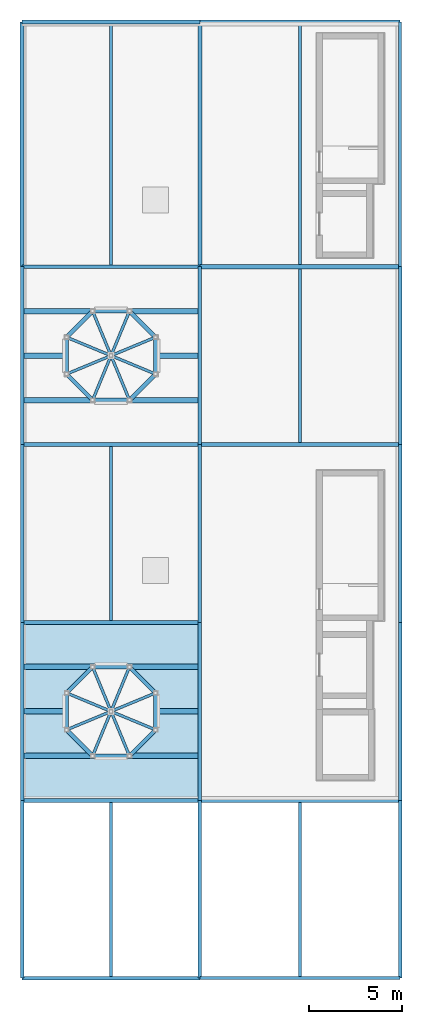
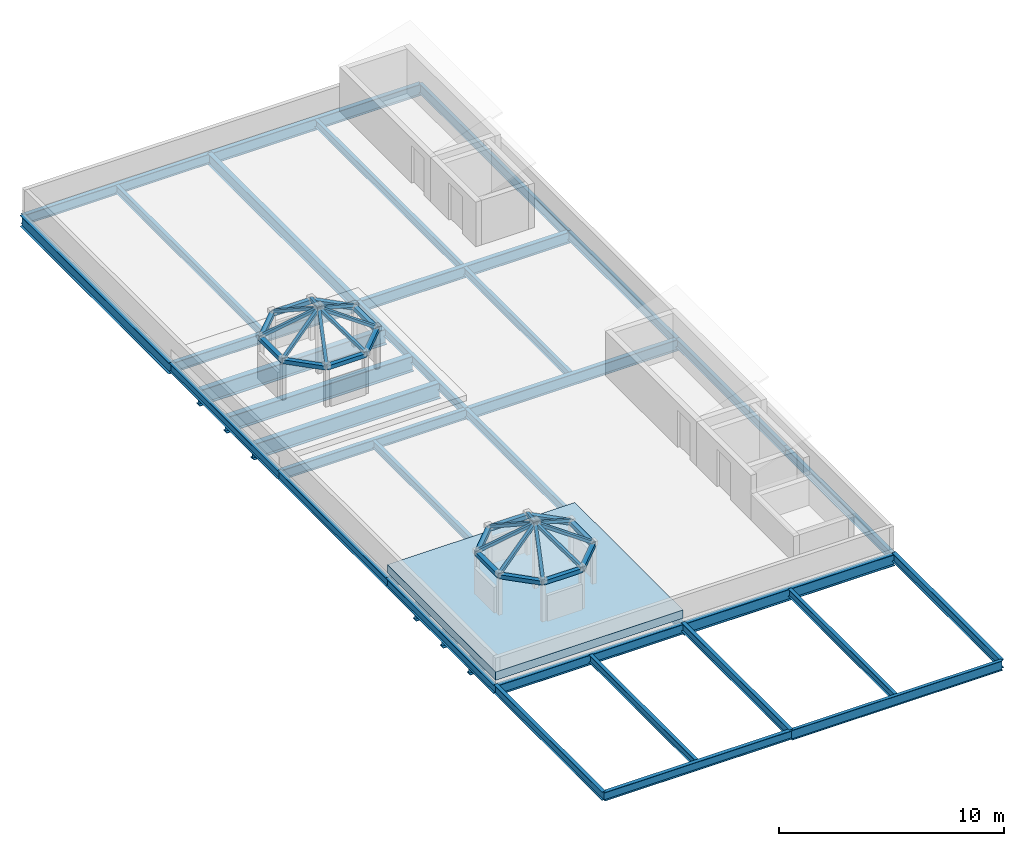
# One storey, part 2 of 5: 54 beams, 16 members, 1 slab.
"""IFC4 building model written with IfcOpenShell, lengths in metres."""

from ifc_helpers import new_model, si_unit, direction, frame, origin, origin_2d, place, context, subcontext, project, spatial, polyline, hollow_rectangle, i_section, outline, extrude, material, layer, layer_set, material_profile, profile_set, type_object, element, save


model = new_model("IFC4")

# Units and contexts
model_context = context("Model", 3, precision=1e-05, world=origin(), true_north=direction((0.0, 1.0)))
body_context = subcontext(model_context, "Body", "Model", "MODEL_VIEW")
ifc_project = project(units=[si_unit("LENGTHUNIT", "METRE"), si_unit("AREAUNIT", "SQUARE_METRE"), si_unit("VOLUMEUNIT", "CUBIC_METRE"), si_unit("PLANEANGLEUNIT", "RADIAN"), si_unit("MASSUNIT", "GRAM", prefix="KILO")], contexts=[model_context])

# Site, building, storey
site_placement = place(None, origin())
site = spatial("IfcSite", under=ifc_project, at=site_placement, CompositionType="ELEMENT")
building_placement = place(site_placement, origin())
building = spatial("IfcBuilding", under=site, at=building_placement, Name="Almandine Court Research Institute", CompositionType="ELEMENT")
storey_placement = place(building_placement, frame((0.0, 0.0, 46.199951171875)))
storey = spatial("IfcBuildingStorey", under=building, at=storey_placement, Name="RF", CompositionType="ELEMENT", Elevation=46.199951171875)

# Beams
ifc_material_1 = material(Name="Steel ASTM A992 Grade 50", Category="steel")
ifc_material_profile_1 = material_profile(ifc_material_1, i_section(OverallWidth=0.18994140625, OverallDepth=0.45703125, WebThickness=0.009033203125, FlangeThickness=0.014892578125, at=origin_2d()), Name="W460x74")
ifc_profile_set_1 = profile_set([ifc_material_profile_1], Name="Steel ASTM A992 Grade 50")
beam_type_1 = type_object("IfcBeamType", Name="Beam-B-01", PredefinedType="BEAM", material=ifc_profile_set_1)
for number, where, z_axis, x_axis, name in (
    (1, (153.60009765625, 6.0, -0.427978515625), (0.0, 1.0, 0.0), (-1.0, 0.0, 0.0), "RF V4 Primary Y Girder"),
    (2, (163.199951171875, 6.0, -0.427978515625), (0.0, 1.0, 0.0), (-1.0, 0.0, 0.0), "RF V4 Primary Y Girder"),
):
    element("IfcBeam", number, at=place(storey_placement, frame(where, z_axis=z_axis, x_axis=x_axis)), inside=storey, type_object=beam_type_1, Name=name, PredefinedType="BEAM", context=body_context, shape_type="SweptSolid", body=[
        extrude(i_section(OverallWidth=0.18994140625, OverallDepth=0.45703125, WebThickness=0.009033203125, FlangeThickness=0.014892578125, at=origin_2d()), origin(), (0.0, 0.0, 1.0), 9.60009765625),
    ])
for number, where, z_axis, x_axis, name in (
    (3, (153.60009765625, 15.60009765625, -0.469970703125), (0.0, 1.0, 0.0), (-1.0, 0.0, 0.0), "RF V4 Primary Y Girder"),
    (4, (163.199951171875, 15.60009765625, -0.469970703125), (0.0, 1.0, 0.0), (-1.0, 0.0, 0.0), "RF V4 Primary Y Girder"),
):
    element("IfcBeam", number, at=place(storey_placement, frame(where, z_axis=z_axis, x_axis=x_axis)), inside=storey, type_object=beam_type_1, Name=name, PredefinedType="BEAM", context=body_context, shape_type="SweptSolid", body=[
        extrude(i_section(OverallWidth=0.18994140625, OverallDepth=0.45703125, WebThickness=0.009033203125, FlangeThickness=0.014892578125, at=origin_2d()), origin(), (0.0, 0.0, 1.0), 9.599853515625),
    ])
for number, where, z_axis, x_axis, name in (
    (5, (153.60009765625, 25.199951171875, -0.469970703125), (0.0, 1.0, 0.0), (-1.0, 0.0, 0.0), "RF V4 Primary Y Girder"),
    (6, (163.199951171875, 25.199951171875, -0.469970703125), (0.0, 1.0, 0.0), (-1.0, 0.0, 0.0), "RF V4 Primary Y Girder"),
):
    element("IfcBeam", number, at=place(storey_placement, frame(where, z_axis=z_axis, x_axis=x_axis)), inside=storey, type_object=beam_type_1, Name=name, PredefinedType="BEAM", context=body_context, shape_type="SweptSolid", body=[
        extrude(i_section(OverallWidth=0.18994140625, OverallDepth=0.45703125, WebThickness=0.009033203125, FlangeThickness=0.014892578125, at=origin_2d()), origin(), (0.0, 0.0, 1.0), 9.60009765625),
    ])
for number, where, z_axis, x_axis, name in (
    (7, (153.60009765625, 34.800048828125, -0.469970703125), (0.0, 1.0, 0.0), (-1.0, 0.0, 0.0), "RF V4 Primary Y Girder"),
    (8, (163.199951171875, 34.800048828125, -0.469970703125), (0.0, 1.0, 0.0), (-1.0, 0.0, 0.0), "RF V4 Primary Y Girder"),
):
    element("IfcBeam", number, at=place(storey_placement, frame(where, z_axis=z_axis, x_axis=x_axis)), inside=storey, type_object=beam_type_1, Name=name, PredefinedType="BEAM", context=body_context, shape_type="SweptSolid", body=[
        extrude(i_section(OverallWidth=0.18994140625, OverallDepth=0.45703125, WebThickness=0.009033203125, FlangeThickness=0.014892578125, at=origin_2d()), origin(), (0.0, 0.0, 1.0), 9.599853515625),
    ])
ifc_material_profile_2 = material_profile(ifc_material_1, i_section(OverallWidth=0.178955078125, OverallDepth=0.409912109375, WebThickness=0.009033203125, FlangeThickness=0.013916015625, at=origin_2d()), Name="W410x67")
ifc_profile_set_2 = profile_set([ifc_material_profile_2], Name="Steel ASTM A992 Grade 50")
beam_type_2 = type_object("IfcBeamType", Name="Beam-B-02", PredefinedType="JOIST", material=ifc_profile_set_2)
beam_1_placement = place(storey_placement, frame((158.39990234375, 6.094970703125, -0.405029296875), z_axis=(0.0, 1.0, 0.0), x_axis=(-1.0, 0.0, 0.0)))
element("IfcBeam", 9, at=beam_1_placement, inside=storey, type_object=beam_type_2, Name="RF V4 Composite Secondary Beam", PredefinedType="JOIST", context=body_context, shape_type="SweptSolid", body=[
    extrude(i_section(OverallWidth=0.178955078125, OverallDepth=0.409912109375, WebThickness=0.009033203125, FlangeThickness=0.013916015625, at=origin_2d()), origin(), (0.0, 0.0, 1.0), 9.401123046875),
])
beam_2_placement = place(storey_placement, frame((168.60009765625, 6.0810546875, -0.405029296875), z_axis=(0.0, 1.0, 0.0), x_axis=(-1.0, 0.0, 0.0)))
element("IfcBeam", 10, at=beam_2_placement, inside=storey, type_object=beam_type_2, Name="RF V4 Composite Secondary Beam", PredefinedType="JOIST", context=body_context, shape_type="SweptSolid", body=[
    extrude(i_section(OverallWidth=0.178955078125, OverallDepth=0.409912109375, WebThickness=0.009033203125, FlangeThickness=0.013916015625, at=origin_2d()), origin(), (0.0, 0.0, 1.0), 9.406005859375),
])
beam_3_placement = place(storey_placement, frame((158.39990234375, 25.302978515625, -0.447021484375), z_axis=(0.0, 1.0, 0.0), x_axis=(-1.0, 0.0, 0.0)))
element("IfcBeam", 11, at=beam_3_placement, inside=storey, type_object=beam_type_2, Name="RF V4 Composite Secondary Beam", PredefinedType="JOIST", context=body_context, shape_type="SweptSolid", body=[
    extrude(i_section(OverallWidth=0.178955078125, OverallDepth=0.409912109375, WebThickness=0.009033203125, FlangeThickness=0.013916015625, at=origin_2d()), origin(), (0.0, 0.0, 1.0), 9.39404296875),
])
beam_4_placement = place(storey_placement, frame((168.60009765625, 34.9130859375, -0.447021484375), z_axis=(0.0, 1.0, 0.0), x_axis=(-1.0, 0.0, 0.0)))
element("IfcBeam", 12, at=beam_4_placement, inside=storey, type_object=beam_type_2, Name="RF V4 Composite Secondary Beam", PredefinedType="JOIST", context=body_context, shape_type="SweptSolid", body=[
    extrude(i_section(OverallWidth=0.178955078125, OverallDepth=0.409912109375, WebThickness=0.009033203125, FlangeThickness=0.013916015625, at=origin_2d()), origin(), (0.0, 0.0, 1.0), 9.3740234375),
])
beam_5_placement = place(storey_placement, frame((158.39990234375, 44.5029296875, -0.447021484375), z_axis=(0.0, 1.0, 0.0), x_axis=(-1.0, 0.0, 0.0)))
element("IfcBeam", 13, at=beam_5_placement, inside=storey, type_object=beam_type_2, Name="RF V4 Composite Secondary Beam", PredefinedType="JOIST", context=body_context, shape_type="SweptSolid", body=[
    extrude(i_section(OverallWidth=0.178955078125, OverallDepth=0.409912109375, WebThickness=0.009033203125, FlangeThickness=0.013916015625, at=origin_2d()), origin(), (0.0, 0.0, 1.0), 12.994140625),
])
beam_6_placement = place(storey_placement, frame((168.60009765625, 44.512939453125, -0.447021484375), z_axis=(0.0, 1.0, 0.0), x_axis=(-1.0, 0.0, 0.0)))
element("IfcBeam", 14, at=beam_6_placement, inside=storey, type_object=beam_type_2, Name="RF V4 Composite Secondary Beam", PredefinedType="JOIST", context=body_context, shape_type="SweptSolid", body=[
    extrude(i_section(OverallWidth=0.178955078125, OverallDepth=0.409912109375, WebThickness=0.009033203125, FlangeThickness=0.013916015625, at=origin_2d()), origin(), (0.0, 0.0, 1.0), 12.97412109375),
])
ifc_material_profile_3 = material_profile(ifc_material_1, i_section(OverallWidth=0.22998046875, OverallDepth=0.616943359375, WebThickness=0.012939453125, FlangeThickness=0.02197265625, at=origin_2d()), Name="W610x140")
ifc_profile_set_3 = profile_set([ifc_material_profile_3], Name="Steel ASTM A992 Grade 50")
beam_type_3 = type_object("IfcBeamType", Name="Beam-G-02", PredefinedType="BEAM", material=ifc_profile_set_3)
for number, where, z_axis, x_axis, name in (
    (15, (163.199951171875, 15.60009765625, -0.551025390625), (1.0, 0.0, 0.0), (0.0, 1.0, 0.0), "RF V4 Primary X Girder"),
    (16, (163.199951171875, 34.800048828125, -0.551025390625), (1.0, 0.0, 0.0), (0.0, 1.0, 0.0), "RF V4 Primary X Girder"),
    (17, (163.199951171875, 44.39990234375, -0.551025390625), (1.0, 0.0, 0.0), (0.0, 1.0, 0.0), "RF V4 Primary X Girder"),
    (18, (163.199951171875, 57.60009765625, -0.551025390625), (1.0, 0.0, 0.0), (0.0, 1.0, 0.0), "RF V4 Primary X Girder"),
):
    element("IfcBeam", number, at=place(storey_placement, frame(where, z_axis=z_axis, x_axis=x_axis)), inside=storey, type_object=beam_type_3, Name=name, PredefinedType="BEAM", context=body_context, shape_type="SweptSolid", body=[
        extrude(i_section(OverallWidth=0.22998046875, OverallDepth=0.616943359375, WebThickness=0.012939453125, FlangeThickness=0.02197265625, at=origin_2d()), origin(), (0.0, 0.0, 1.0), 10.800048828125),
    ])
ifc_material_profile_4 = material_profile(ifc_material_1, i_section(OverallWidth=0.22802734375, OverallDepth=0.60791015625, WebThickness=0.010986328125, FlangeThickness=0.01708984375, at=origin_2d()), Name="W610x113")
ifc_profile_set_4 = profile_set([ifc_material_profile_4], Name="Steel ASTM A992 Grade 50")
beam_type_4 = type_object("IfcBeamType", Name="Beam-G-03", PredefinedType="BEAM", material=ifc_profile_set_4)
for number, where, z_axis, x_axis, name in (
    (19, (153.60009765625, 44.39990234375, -0.5458984375), (0.0, 1.0, 0.0), (-1.0, 0.0, 0.0), "RF V4 Primary Y Girder"),
    (20, (163.199951171875, 44.39990234375, -0.5458984375), (0.0, 1.0, 0.0), (-1.0, 0.0, 0.0), "RF V4 Primary Y Girder"),
):
    element("IfcBeam", number, at=place(storey_placement, frame(where, z_axis=z_axis, x_axis=x_axis)), inside=storey, type_object=beam_type_4, Name=name, PredefinedType="BEAM", context=body_context, shape_type="SweptSolid", body=[
        extrude(i_section(OverallWidth=0.22802734375, OverallDepth=0.60791015625, WebThickness=0.010986328125, FlangeThickness=0.01708984375, at=origin_2d()), origin(), (0.0, 0.0, 1.0), 13.2001953125),
    ])
ifc_material_profile_5 = material_profile(ifc_material_1, i_section(OverallWidth=0.2109375, OverallDepth=0.5390625, WebThickness=0.011962890625, FlangeThickness=0.01904296875, at=origin_2d()), Name="W530x109")
ifc_profile_set_5 = profile_set([ifc_material_profile_5], Name="Steel ASTM A992 Grade 50")
beam_type_5 = type_object("IfcBeamType", Name="Beam-G-04", PredefinedType="BEAM", material=ifc_profile_set_5)
for number, where, z_axis, x_axis, name in (
    (21, (153.60009765625, 15.60009765625, -0.511962890625), (1.0, 0.0, 0.0), (0.0, 1.0, 0.0), "RF V4 Primary X Girder"),
    (22, (153.60009765625, 25.199951171875, -0.511962890625), (1.0, 0.0, 0.0), (0.0, 1.0, 0.0), "RF V4 Primary X Girder"),
    (23, (153.60009765625, 34.800048828125, -0.511962890625), (1.0, 0.0, 0.0), (0.0, 1.0, 0.0), "RF V4 Primary X Girder"),
    (24, (153.60009765625, 44.39990234375, -0.511962890625), (1.0, 0.0, 0.0), (0.0, 1.0, 0.0), "RF V4 Primary X Girder"),
    (25, (153.60009765625, 57.60009765625, -0.511962890625), (1.0, 0.0, 0.0), (0.0, 1.0, 0.0), "RF V4 Primary X Girder"),
):
    element("IfcBeam", number, at=place(storey_placement, frame(where, z_axis=z_axis, x_axis=x_axis)), inside=storey, type_object=beam_type_5, Name=name, PredefinedType="BEAM", context=body_context, shape_type="SweptSolid", body=[
        extrude(i_section(OverallWidth=0.2109375, OverallDepth=0.5390625, WebThickness=0.011962890625, FlangeThickness=0.01904296875, at=origin_2d()), origin(), (0.0, 0.0, 1.0), 9.599853515625),
    ])
ifc_material_profile_6 = material_profile(ifc_material_1, i_section(OverallWidth=0.166015625, OverallDepth=0.534912109375, WebThickness=0.010009765625, FlangeThickness=0.01708984375, at=origin_2d()), Name="W530x85")
ifc_profile_set_6 = profile_set([ifc_material_profile_6], Name="Steel ASTM A992 Grade 50")
beam_type_6 = type_object("IfcBeamType", Name="Beam-G-05-E", PredefinedType="SPANDREL", material=ifc_profile_set_6)
beam_7_placement = place(storey_placement, frame((163.199951171875, 6.0, -0.467041015625), z_axis=(1.0, 0.0, 0.0), x_axis=(0.0, 1.0, 0.0)))
element("IfcBeam", 26, at=beam_7_placement, inside=storey, type_object=beam_type_6, Name="RF V4 Primary X Girder", PredefinedType="SPANDREL", context=body_context, shape_type="SweptSolid", body=[
    extrude(i_section(OverallWidth=0.166015625, OverallDepth=0.534912109375, WebThickness=0.010009765625, FlangeThickness=0.01708984375, at=origin_2d()), origin(), (0.0, 0.0, 1.0), 10.800048828125),
])
beam_8_placement = place(storey_placement, frame((174.0, 44.39990234375, -0.509033203125), z_axis=(0.0, 1.0, 0.0), x_axis=(-1.0, 0.0, 0.0)))
element("IfcBeam", 27, at=beam_8_placement, inside=storey, type_object=beam_type_6, Name="RF V4 Primary Y Girder", PredefinedType="SPANDREL", context=body_context, shape_type="SweptSolid", body=[
    extrude(i_section(OverallWidth=0.166015625, OverallDepth=0.534912109375, WebThickness=0.010009765625, FlangeThickness=0.01708984375, at=origin_2d()), origin(), (0.0, 0.0, 1.0), 13.2001953125),
])
ifc_material_profile_7 = material_profile(ifc_material_1, i_section(OverallWidth=0.193115234375, OverallDepth=0.466064453125, WebThickness=0.010986328125, FlangeThickness=0.01904296875, at=origin_2d()), Name="W460x97")
ifc_profile_set_7 = profile_set([ifc_material_profile_7], Name="Steel ASTM A992 Grade 50")
beam_type_7 = type_object("IfcBeamType", Name="Beam-G-06-E", PredefinedType="SPANDREL", material=ifc_profile_set_7)
beam_9_placement = place(storey_placement, frame((153.60009765625, 6.0, -0.432861328125), z_axis=(1.0, 0.0, 0.0), x_axis=(0.0, 1.0, 0.0)))
element("IfcBeam", 28, at=beam_9_placement, inside=storey, type_object=beam_type_7, Name="RF V4 Primary X Girder", PredefinedType="SPANDREL", context=body_context, shape_type="SweptSolid", body=[
    extrude(i_section(OverallWidth=0.193115234375, OverallDepth=0.466064453125, WebThickness=0.010986328125, FlangeThickness=0.01904296875, at=origin_2d()), origin(), (0.0, 0.0, 1.0), 9.599853515625),
])
beam_10_placement = place(storey_placement, frame((174.0, 6.0, -0.432861328125), z_axis=(0.0, 1.0, 0.0), x_axis=(-1.0, 0.0, 0.0)))
element("IfcBeam", 29, at=beam_10_placement, inside=storey, type_object=beam_type_7, Name="RF V4 Primary Y Girder", PredefinedType="SPANDREL", context=body_context, shape_type="SweptSolid", body=[
    extrude(i_section(OverallWidth=0.193115234375, OverallDepth=0.466064453125, WebThickness=0.010986328125, FlangeThickness=0.01904296875, at=origin_2d()), origin(), (0.0, 0.0, 1.0), 9.60009765625),
])
beam_11_placement = place(storey_placement, frame((174.0, 15.60009765625, -0.474853515625), z_axis=(0.0, 1.0, 0.0), x_axis=(-1.0, 0.0, 0.0)))
element("IfcBeam", 30, at=beam_11_placement, inside=storey, type_object=beam_type_7, Name="RF V4 Primary Y Girder", PredefinedType="SPANDREL", context=body_context, shape_type="SweptSolid", body=[
    extrude(i_section(OverallWidth=0.193115234375, OverallDepth=0.466064453125, WebThickness=0.010986328125, FlangeThickness=0.01904296875, at=origin_2d()), origin(), (0.0, 0.0, 1.0), 9.599853515625),
])
beam_12_placement = place(storey_placement, frame((174.0, 25.199951171875, -0.474853515625), z_axis=(0.0, 1.0, 0.0), x_axis=(-1.0, 0.0, 0.0)))
element("IfcBeam", 31, at=beam_12_placement, inside=storey, type_object=beam_type_7, Name="RF V4 Primary Y Girder", PredefinedType="SPANDREL", context=body_context, shape_type="SweptSolid", body=[
    extrude(i_section(OverallWidth=0.193115234375, OverallDepth=0.466064453125, WebThickness=0.010986328125, FlangeThickness=0.01904296875, at=origin_2d()), origin(), (0.0, 0.0, 1.0), 9.60009765625),
])
beam_13_placement = place(storey_placement, frame((174.0, 34.800048828125, -0.474853515625), z_axis=(0.0, 1.0, 0.0), x_axis=(-1.0, 0.0, 0.0)))
element("IfcBeam", 32, at=beam_13_placement, inside=storey, type_object=beam_type_7, Name="RF V4 Primary Y Girder", PredefinedType="SPANDREL", context=body_context, shape_type="SweptSolid", body=[
    extrude(i_section(OverallWidth=0.193115234375, OverallDepth=0.466064453125, WebThickness=0.010986328125, FlangeThickness=0.01904296875, at=origin_2d()), origin(), (0.0, 0.0, 1.0), 9.599853515625),
])
ifc_material_2 = material(Name="Steel ASTM A500 Grade C", Category="steel")
ifc_material_profile_8 = material_profile(ifc_material_2, hollow_rectangle(XDim=0.219970703125, YDim=0.219970703125, WallThickness=0.010009765625, at=origin_2d()), Name="HSS 220x220x10")
ifc_profile_set_8 = profile_set([ifc_material_profile_8], Name="Steel ASTM A500 Grade C")
beam_type_8 = type_object("IfcBeamType", Name="Beam-RB-03-E", PredefinedType="BEAM", material=ifc_profile_set_8)
beam_14_placement = place(storey_placement, frame((160.802001953125, 21.39501953125, 2.5400390625), z_axis=(-0.707106781187, 0.707106781187, 0.0), x_axis=(-0.707106781187, -0.707106781187, 0.0)))
element("IfcBeam", 33, at=beam_14_placement, inside=storey, type_object=beam_type_8, Name="RF Chhatri 1 Eave Ring Beam", PredefinedType="BEAM", context=body_context, shape_type="SweptSolid", body=[
    extrude(hollow_rectangle(XDim=0.219970703125, YDim=0.219970703125, WallThickness=0.010009765625, at=origin_2d()), origin(), (0.0, 0.0, 1.0), 1.98974609375),
])
beam_15_placement = place(storey_placement, frame((159.39501953125, 22.802001953125, 2.5400390625), z_axis=(-1.0, 0.0, 0.0), x_axis=(0.0, -1.0, 0.0)))
element("IfcBeam", 34, at=beam_15_placement, inside=storey, type_object=beam_type_8, Name="RF Chhatri 1 Eave Ring Beam", PredefinedType="BEAM", context=body_context, shape_type="SweptSolid", body=[
    extrude(hollow_rectangle(XDim=0.219970703125, YDim=0.219970703125, WallThickness=0.010009765625, at=origin_2d()), origin(), (0.0, 0.0, 1.0), 1.989990234375),
])
beam_16_placement = place(storey_placement, frame((157.405029296875, 22.802001953125, 2.5400390625), z_axis=(-0.707106781187, -0.707106781187, 0.0), x_axis=(0.707106781187, -0.707106781187, 0.0)))
element("IfcBeam", 35, at=beam_16_placement, inside=storey, type_object=beam_type_8, Name="RF Chhatri 1 Eave Ring Beam", PredefinedType="BEAM", context=body_context, shape_type="SweptSolid", body=[
    extrude(hollow_rectangle(XDim=0.219970703125, YDim=0.219970703125, WallThickness=0.010009765625, at=origin_2d()), origin(), (0.0, 0.0, 1.0), 1.98974609375),
])
beam_17_placement = place(storey_placement, frame((155.998046875, 21.39501953125, 2.5400390625), z_axis=(0.0, -1.0, 0.0), x_axis=(1.0, 0.0, 0.0)))
element("IfcBeam", 36, at=beam_17_placement, inside=storey, type_object=beam_type_8, Name="RF Chhatri 1 Eave Ring Beam", PredefinedType="BEAM", context=body_context, shape_type="SweptSolid", body=[
    extrude(hollow_rectangle(XDim=0.219970703125, YDim=0.219970703125, WallThickness=0.010009765625, at=origin_2d()), origin(), (0.0, 0.0, 1.0), 1.989990234375),
])
beam_18_placement = place(storey_placement, frame((155.998046875, 19.405029296875, 2.5400390625), z_axis=(0.707106781187, -0.707106781187, 0.0), x_axis=(0.707106781187, 0.707106781187, 0.0)))
element("IfcBeam", 37, at=beam_18_placement, inside=storey, type_object=beam_type_8, Name="RF Chhatri 1 Eave Ring Beam", PredefinedType="BEAM", context=body_context, shape_type="SweptSolid", body=[
    extrude(hollow_rectangle(XDim=0.219970703125, YDim=0.219970703125, WallThickness=0.010009765625, at=origin_2d()), origin(), (0.0, 0.0, 1.0), 1.98974609375),
])
beam_19_placement = place(storey_placement, frame((157.405029296875, 17.998046875, 2.5400390625), z_axis=(1.0, 0.0, 0.0), x_axis=(0.0, 1.0, 0.0)))
element("IfcBeam", 38, at=beam_19_placement, inside=storey, type_object=beam_type_8, Name="RF Chhatri 1 Eave Ring Beam", PredefinedType="BEAM", context=body_context, shape_type="SweptSolid", body=[
    extrude(hollow_rectangle(XDim=0.219970703125, YDim=0.219970703125, WallThickness=0.010009765625, at=origin_2d()), origin(), (0.0, 0.0, 1.0), 1.989990234375),
])
beam_20_placement = place(storey_placement, frame((159.39501953125, 17.998046875, 2.5400390625), z_axis=(0.707106781187, 0.707106781187, 0.0), x_axis=(-0.707106781187, 0.707106781187, 0.0)))
element("IfcBeam", 39, at=beam_20_placement, inside=storey, type_object=beam_type_8, Name="RF Chhatri 1 Eave Ring Beam", PredefinedType="BEAM", context=body_context, shape_type="SweptSolid", body=[
    extrude(hollow_rectangle(XDim=0.219970703125, YDim=0.219970703125, WallThickness=0.010009765625, at=origin_2d()), origin(), (0.0, 0.0, 1.0), 1.98974609375),
])
beam_21_placement = place(storey_placement, frame((160.802001953125, 19.405029296875, 2.5400390625), z_axis=(0.0, 1.0, 0.0), x_axis=(-1.0, 0.0, 0.0)))
element("IfcBeam", 40, at=beam_21_placement, inside=storey, type_object=beam_type_8, Name="RF Chhatri 1 Eave Ring Beam", PredefinedType="BEAM", context=body_context, shape_type="SweptSolid", body=[
    extrude(hollow_rectangle(XDim=0.219970703125, YDim=0.219970703125, WallThickness=0.010009765625, at=origin_2d()), origin(), (0.0, 0.0, 1.0), 1.989990234375),
])
beam_22_placement = place(storey_placement, frame((160.802001953125, 40.594970703125, 2.5400390625), z_axis=(-0.707106781187, 0.707106781187, 0.0), x_axis=(-0.707106781187, -0.707106781187, 0.0)))
element("IfcBeam", 41, at=beam_22_placement, inside=storey, type_object=beam_type_8, Name="RF Chhatri 2 Eave Ring Beam", PredefinedType="BEAM", context=body_context, shape_type="SweptSolid", body=[
    extrude(hollow_rectangle(XDim=0.219970703125, YDim=0.219970703125, WallThickness=0.010009765625, at=origin_2d()), origin(), (0.0, 0.0, 1.0), 1.98974609375),
])
beam_23_placement = place(storey_placement, frame((159.39501953125, 42.001953125, 2.5400390625), z_axis=(-1.0, 0.0, 0.0), x_axis=(0.0, -1.0, 0.0)))
element("IfcBeam", 42, at=beam_23_placement, inside=storey, type_object=beam_type_8, Name="RF Chhatri 2 Eave Ring Beam", PredefinedType="BEAM", context=body_context, shape_type="SweptSolid", body=[
    extrude(hollow_rectangle(XDim=0.219970703125, YDim=0.219970703125, WallThickness=0.010009765625, at=origin_2d()), origin(), (0.0, 0.0, 1.0), 1.989990234375),
])
beam_24_placement = place(storey_placement, frame((157.405029296875, 42.001953125, 2.5400390625), z_axis=(-0.707106781187, -0.707106781187, 0.0), x_axis=(0.707106781187, -0.707106781187, 0.0)))
element("IfcBeam", 43, at=beam_24_placement, inside=storey, type_object=beam_type_8, Name="RF Chhatri 2 Eave Ring Beam", PredefinedType="BEAM", context=body_context, shape_type="SweptSolid", body=[
    extrude(hollow_rectangle(XDim=0.219970703125, YDim=0.219970703125, WallThickness=0.010009765625, at=origin_2d()), origin(), (0.0, 0.0, 1.0), 1.98974609375),
])
beam_25_placement = place(storey_placement, frame((155.998046875, 40.594970703125, 2.5400390625), z_axis=(0.0, -1.0, 0.0), x_axis=(1.0, 0.0, 0.0)))
element("IfcBeam", 44, at=beam_25_placement, inside=storey, type_object=beam_type_8, Name="RF Chhatri 2 Eave Ring Beam", PredefinedType="BEAM", context=body_context, shape_type="SweptSolid", body=[
    extrude(hollow_rectangle(XDim=0.219970703125, YDim=0.219970703125, WallThickness=0.010009765625, at=origin_2d()), origin(), (0.0, 0.0, 1.0), 1.989990234375),
])
beam_26_placement = place(storey_placement, frame((155.998046875, 38.60498046875, 2.5400390625), z_axis=(0.707106781187, -0.707106781187, 0.0), x_axis=(0.707106781187, 0.707106781187, 0.0)))
element("IfcBeam", 45, at=beam_26_placement, inside=storey, type_object=beam_type_8, Name="RF Chhatri 2 Eave Ring Beam", PredefinedType="BEAM", context=body_context, shape_type="SweptSolid", body=[
    extrude(hollow_rectangle(XDim=0.219970703125, YDim=0.219970703125, WallThickness=0.010009765625, at=origin_2d()), origin(), (0.0, 0.0, 1.0), 1.98974609375),
])
beam_27_placement = place(storey_placement, frame((157.405029296875, 37.197998046875, 2.5400390625), z_axis=(1.0, 0.0, 0.0), x_axis=(0.0, 1.0, 0.0)))
element("IfcBeam", 46, at=beam_27_placement, inside=storey, type_object=beam_type_8, Name="RF Chhatri 2 Eave Ring Beam", PredefinedType="BEAM", context=body_context, shape_type="SweptSolid", body=[
    extrude(hollow_rectangle(XDim=0.219970703125, YDim=0.219970703125, WallThickness=0.010009765625, at=origin_2d()), origin(), (0.0, 0.0, 1.0), 1.989990234375),
])
beam_28_placement = place(storey_placement, frame((159.39501953125, 37.197998046875, 2.5400390625), z_axis=(0.707106781187, 0.707106781187, 0.0), x_axis=(-0.707106781187, 0.707106781187, 0.0)))
element("IfcBeam", 47, at=beam_28_placement, inside=storey, type_object=beam_type_8, Name="RF Chhatri 2 Eave Ring Beam", PredefinedType="BEAM", context=body_context, shape_type="SweptSolid", body=[
    extrude(hollow_rectangle(XDim=0.219970703125, YDim=0.219970703125, WallThickness=0.010009765625, at=origin_2d()), origin(), (0.0, 0.0, 1.0), 1.98974609375),
])
beam_29_placement = place(storey_placement, frame((160.802001953125, 38.60498046875, 2.5400390625), z_axis=(0.0, 1.0, 0.0), x_axis=(-1.0, 0.0, 0.0)))
element("IfcBeam", 48, at=beam_29_placement, inside=storey, type_object=beam_type_8, Name="RF Chhatri 2 Eave Ring Beam", PredefinedType="BEAM", context=body_context, shape_type="SweptSolid", body=[
    extrude(hollow_rectangle(XDim=0.219970703125, YDim=0.219970703125, WallThickness=0.010009765625, at=origin_2d()), origin(), (0.0, 0.0, 1.0), 1.989990234375),
])
ifc_material_profile_9 = material_profile(ifc_material_1, i_section(OverallWidth=0.2939453125, OverallDepth=0.85107421875, WebThickness=0.01611328125, FlangeThickness=0.027099609375, at=origin_2d()), Name="W840x226")
ifc_profile_set_9 = profile_set([ifc_material_profile_9], Name="Steel ASTM A992 Grade 50")
beam_type_9 = type_object("IfcBeamType", Name="Beam-TG-01", PredefinedType="BEAM", material=ifc_profile_set_9)
for number, where, z_axis, x_axis, name in (
    (49, (153.60009765625, 17.998046875, -0.66796875), (1.0, 0.0, 0.0), (0.0, 1.0, 0.0), "RF Chhatri Lantern 1 Heavy Steel Transfer Girder 1"),
    (50, (153.60009765625, 20.39990234375, -0.66796875), (1.0, 0.0, 0.0), (0.0, 1.0, 0.0), "RF Chhatri Lantern 1 Heavy Steel Transfer Girder 2"),
    (51, (153.60009765625, 22.802001953125, -0.66796875), (1.0, 0.0, 0.0), (0.0, 1.0, 0.0), "RF Chhatri Lantern 1 Heavy Steel Transfer Girder 3"),
    (52, (153.60009765625, 37.197998046875, -0.66796875), (1.0, 0.0, 0.0), (0.0, 1.0, 0.0), "RF Chhatri Lantern 2 Heavy Steel Transfer Girder 1"),
    (53, (153.60009765625, 39.60009765625, -0.66796875), (1.0, 0.0, 0.0), (0.0, 1.0, 0.0), "RF Chhatri Lantern 2 Heavy Steel Transfer Girder 2"),
    (54, (153.60009765625, 42.001953125, -0.66796875), (1.0, 0.0, 0.0), (0.0, 1.0, 0.0), "RF Chhatri Lantern 2 Heavy Steel Transfer Girder 3"),
):
    element("IfcBeam", number, at=place(storey_placement, frame(where, z_axis=z_axis, x_axis=x_axis)), inside=storey, type_object=beam_type_9, Name=name, PredefinedType="BEAM", context=body_context, shape_type="SweptSolid", body=[
        extrude(i_section(OverallWidth=0.2939453125, OverallDepth=0.85107421875, WebThickness=0.01611328125, FlangeThickness=0.027099609375, at=origin_2d()), origin(), (0.0, 0.0, 1.0), 9.599853515625),
    ])

# Members
ifc_material_profile_10 = material_profile(ifc_material_2, hollow_rectangle(XDim=0.14990234375, YDim=0.14990234375, WallThickness=0.008056640625, at=origin_2d()), Name="HSS 150x150x8")
ifc_profile_set_10 = profile_set([ifc_material_profile_10], Name="Steel ASTM A500 Grade C")
member_type = type_object("IfcMemberType", Name="Mem-CHR-01", PredefinedType="BRACE", material=ifc_profile_set_10)
for number, where, z_axis, x_axis, name in (
    (55, (160.802001953125, 21.39501953125, 2.650146484375), (-0.82635555395, -0.342334102846, 0.447150825209), (0.382727733882, -0.923861180978, 0.0), "RF Chhatri Hip Diagonal Brace 1-1"),
    (56, (159.39501953125, 22.802001953125, 2.650146484375), (-0.342334102846, -0.82635555395, 0.447150825209), (0.923861180978, -0.382727733882, 0.0), "RF Chhatri Hip Diagonal Brace 1-2"),
    (57, (157.405029296875, 22.802001953125, 2.650146484375), (0.342259954637, -0.826379311331, 0.44716368061), (0.92389437979, 0.382647585897, 0.0), "RF Chhatri Hip Diagonal Brace 1-3"),
    (58, (155.998046875, 21.39501953125, 2.650146484375), (0.826328915593, -0.342357863383, 0.447181860807), (0.382760937611, 0.923847424979, 0.0), "RF Chhatri Hip Diagonal Brace 1-4"),
):
    element("IfcMember", number, at=place(storey_placement, frame(where, z_axis=z_axis, x_axis=x_axis)), inside=storey, type_object=member_type, Name=name, PredefinedType="BRACE", context=body_context, shape_type="SweptSolid", body=[
        extrude(hollow_rectangle(XDim=0.14990234375, YDim=0.14990234375, WallThickness=0.008056640625, at=origin_2d()), origin(), (0.0, 0.0, 1.0), 2.90673828125),
    ])
for number, where, z_axis, x_axis, name in (
    (59, (155.998046875, 19.405029296875, 2.650146484375), (0.826352675506, 0.342283711393, 0.447194718885), (-0.382680785059, 0.923880629057, 0.0), "RF Chhatri Hip Diagonal Brace 1-5"),
    (60, (157.405029296875, 17.998046875, 2.650146484375), (0.342283711393, 0.826352675506, 0.447194718885), (-0.923880629057, 0.382680785059, 0.0), "RF Chhatri Hip Diagonal Brace 1-6"),
):
    element("IfcMember", number, at=place(storey_placement, frame(where, z_axis=z_axis, x_axis=x_axis)), inside=storey, type_object=member_type, Name=name, PredefinedType="BRACE", context=body_context, shape_type="SweptSolid", body=[
        extrude(hollow_rectangle(XDim=0.14990234375, YDim=0.14990234375, WallThickness=0.008056640625, at=origin_2d()), origin(), (0.0, 0.0, 1.0), 2.906494140625),
    ])
for number, where, z_axis, x_axis, name in (
    (61, (159.39501953125, 17.998046875, 2.650146484375), (-0.342357863383, 0.826328915593, 0.447181860807), (-0.923847424979, -0.382760937611, 0.0), "RF Chhatri Hip Diagonal Brace 1-7"),
    (62, (160.802001953125, 19.405029296875, 2.650146484375), (-0.826379311331, 0.342259954637, 0.44716368061), (-0.382647585897, -0.92389437979, 0.0), "RF Chhatri Hip Diagonal Brace 1-8"),
    (63, (160.802001953125, 40.594970703125, 2.650146484375), (-0.826379311331, -0.342259954637, 0.44716368061), (0.382647585897, -0.92389437979, 0.0), "RF Chhatri Hip Diagonal Brace 2-1"),
    (64, (159.39501953125, 42.001953125, 2.650146484375), (-0.342357863383, -0.826328915593, 0.447181860807), (0.923847424979, -0.382760937611, 0.0), "RF Chhatri Hip Diagonal Brace 2-2"),
):
    element("IfcMember", number, at=place(storey_placement, frame(where, z_axis=z_axis, x_axis=x_axis)), inside=storey, type_object=member_type, Name=name, PredefinedType="BRACE", context=body_context, shape_type="SweptSolid", body=[
        extrude(hollow_rectangle(XDim=0.14990234375, YDim=0.14990234375, WallThickness=0.008056640625, at=origin_2d()), origin(), (0.0, 0.0, 1.0), 2.90673828125),
    ])
for number, where, z_axis, x_axis, name in (
    (65, (157.405029296875, 42.001953125, 2.650146484375), (0.342283711393, -0.826352675506, 0.447194718885), (0.923880629057, 0.382680785059, 0.0), "RF Chhatri Hip Diagonal Brace 2-3"),
    (66, (155.998046875, 40.594970703125, 2.650146484375), (0.826352675506, -0.342283711393, 0.447194718885), (0.382680785059, 0.923880629057, 0.0), "RF Chhatri Hip Diagonal Brace 2-4"),
):
    element("IfcMember", number, at=place(storey_placement, frame(where, z_axis=z_axis, x_axis=x_axis)), inside=storey, type_object=member_type, Name=name, PredefinedType="BRACE", context=body_context, shape_type="SweptSolid", body=[
        extrude(hollow_rectangle(XDim=0.14990234375, YDim=0.14990234375, WallThickness=0.008056640625, at=origin_2d()), origin(), (0.0, 0.0, 1.0), 2.906494140625),
    ])
for number, where, z_axis, x_axis, name in (
    (67, (155.998046875, 38.60498046875, 2.650146484375), (0.826328915593, 0.342357863383, 0.447181860807), (-0.382760937611, 0.923847424979, 0.0), "RF Chhatri Hip Diagonal Brace 2-5"),
    (68, (157.405029296875, 37.197998046875, 2.650146484375), (0.342259954637, 0.826379311331, 0.44716368061), (-0.92389437979, 0.382647585897, 0.0), "RF Chhatri Hip Diagonal Brace 2-6"),
    (69, (159.39501953125, 37.197998046875, 2.650146484375), (-0.342334102846, 0.82635555395, 0.447150825209), (-0.923861180978, -0.382727733882, 0.0), "RF Chhatri Hip Diagonal Brace 2-7"),
    (70, (160.802001953125, 38.60498046875, 2.650146484375), (-0.82635555395, 0.342334102846, 0.447150825209), (-0.382727733882, -0.923861180978, 0.0), "RF Chhatri Hip Diagonal Brace 2-8"),
):
    element("IfcMember", number, at=place(storey_placement, frame(where, z_axis=z_axis, x_axis=x_axis)), inside=storey, type_object=member_type, Name=name, PredefinedType="BRACE", context=body_context, shape_type="SweptSolid", body=[
        extrude(hollow_rectangle(XDim=0.14990234375, YDim=0.14990234375, WallThickness=0.008056640625, at=origin_2d()), origin(), (0.0, 0.0, 1.0), 2.90673828125),
    ])

# Slab
ifc_material_3 = material(Name="Concrete C40/50", Category="concrete")
ifc_layer = layer(ifc_material_3, 0.449951171875)
ifc_layer_set = layer_set([ifc_layer], Name="Concrete C40/50")
slab_type = type_object("IfcSlabType", Name="Slab-TRN-450", PredefinedType="ROOF", material=ifc_layer_set)
slab_placement = place(storey_placement, origin())
element("IfcSlab", 71, at=slab_placement, inside=storey, type_object=slab_type, Name="RF Chhatri Lantern 1 Structural Plinth Slab", PredefinedType="ROOF", context=body_context, shape_type="SweptSolid", body=[
    extrude(outline(polyline([(153.60009765625, 15.60009765625), (163.199951171875, 15.60009765625), (163.199951171875, 25.199951171875), (153.60009765625, 25.199951171875), (153.60009765625, 15.60009765625)])), origin(), (0.0, 0.0, 1.0), 0.449951171875),
])

save(model, "model.ifc")
